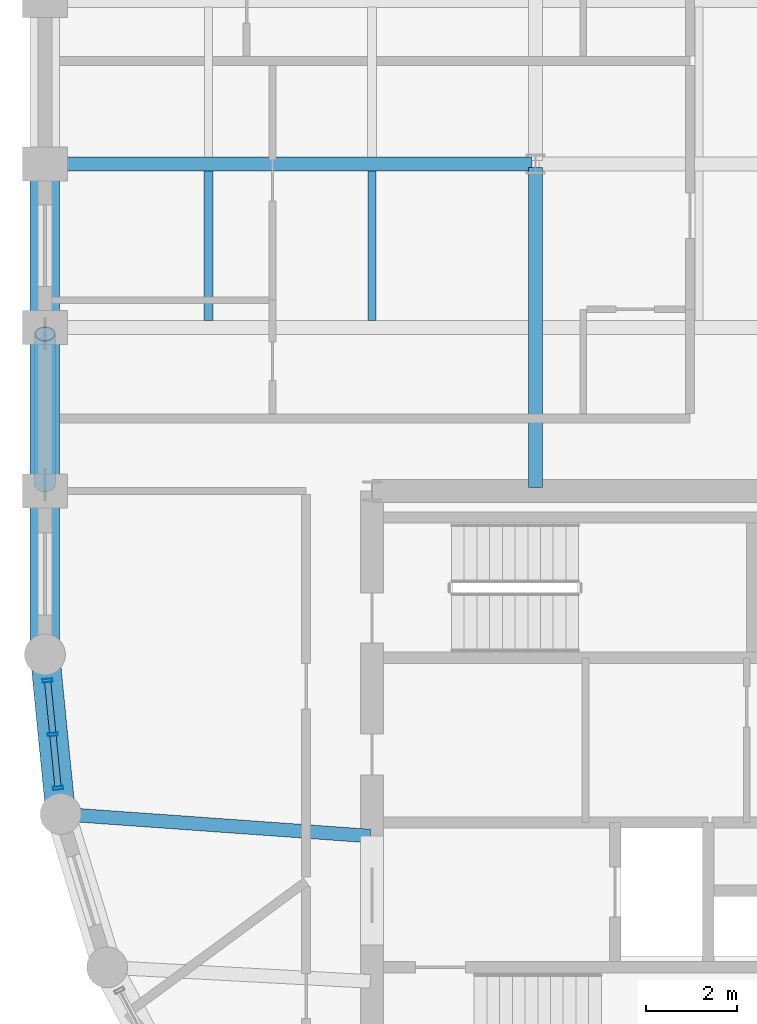
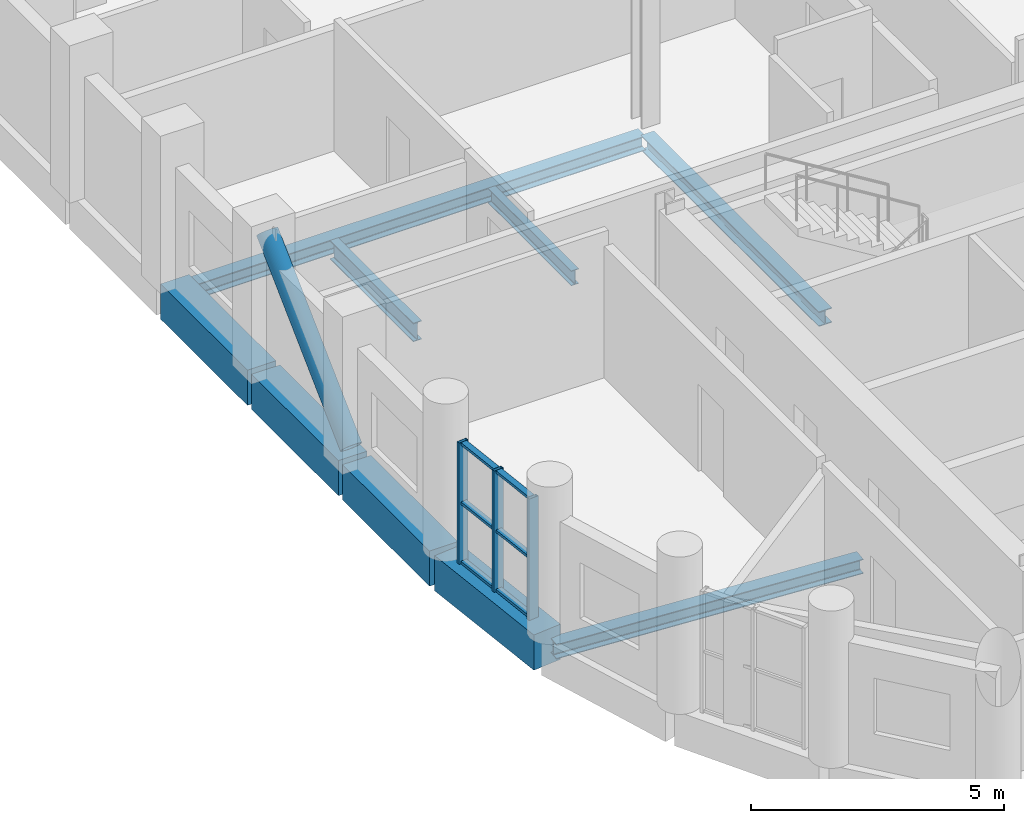
# One storey, part 4 of 14: 10 members, 9 beams, 1 element without a shape of its own.
"""IFC4 building model written with IfcOpenShell, lengths in metres."""

from ifc_helpers import new_model, si_unit, direction, frame, origin, origin_2d, place, context, subcontext, project, spatial, rectangle, hollow_rectangle, hollow_circle, i_section, extrude, material, layer, layer_set, material_profile, profile_set, type_object, element, aggregate, save


model = new_model("IFC4")

# Units and contexts
model_context = context("Model", 3, precision=1e-05, world=origin(), true_north=direction((0.0, 1.0)))
body_context = subcontext(model_context, "Body", "Model", "MODEL_VIEW")
ifc_project = project(units=[si_unit("LENGTHUNIT", "METRE"), si_unit("AREAUNIT", "SQUARE_METRE"), si_unit("VOLUMEUNIT", "CUBIC_METRE"), si_unit("PLANEANGLEUNIT", "RADIAN"), si_unit("MASSUNIT", "GRAM", prefix="KILO")], contexts=[model_context])

# Site, building, storey
site_placement = place(None, origin())
site = spatial("IfcSite", under=ifc_project, at=site_placement, CompositionType="ELEMENT")
building_placement = place(site_placement, origin())
building = spatial("IfcBuilding", under=site, at=building_placement, Name="Solnavia Interchange Tower", CompositionType="ELEMENT")
storey_placement = place(building_placement, frame((0.0, 0.0, 135.199951171875)))
storey = spatial("IfcBuildingStorey", under=building, at=storey_placement, Name="L33", CompositionType="ELEMENT", Elevation=135.199951171875)

# Beams
ifc_material_1 = material(Name="Steel S460", Category="steel")
ifc_material_profile_1 = material_profile(ifc_material_1, i_section(OverallWidth=0.300048828125, OverallDepth=0.360107421875, WebThickness=0.012451171875, FlangeThickness=0.0224609375, FilletRadius=0.027099609375, at=origin_2d()), Name="HEB 360")
ifc_profile_set_1 = profile_set([ifc_material_profile_1], Name="Steel S460")
beam_type_1 = type_object("IfcBeamType", Name="Beam-Girder-HEB360", PredefinedType="BEAM", material=ifc_profile_set_1)
beam_1_placement = place(storey_placement, frame((18.0, 25.280029296875, -0.429931640625), z_axis=(0.0, 1.0, 0.0), x_axis=(-1.0, 0.0, 0.0)))
element("IfcBeam", 1, at=beam_1_placement, inside=storey, type_object=beam_type_1, Name="GRD-L33-NS08 North wing spine girder", PredefinedType="BEAM", context=body_context, shape_type="SweptSolid", body=[
    extrude(i_section(OverallWidth=0.300048828125, OverallDepth=0.360107421875, WebThickness=0.012451171875, FlangeThickness=0.0224609375, FilletRadius=0.027099609375, at=origin_2d()), origin(), (0.0, 0.0, 1.0), 7.0400390625),
])
ifc_material_2 = material(Name="Steel S355", Category="steel")
ifc_material_profile_2 = material_profile(ifc_material_2, i_section(OverallWidth=0.169921875, OverallDepth=0.360107421875, WebThickness=0.008056640625, FlangeThickness=0.0126953125, FilletRadius=0.01806640625, at=origin_2d()), Name="IPE 360")
ifc_profile_set_2 = profile_set([ifc_material_profile_2], Name="Steel S355")
beam_type_2 = type_object("IfcBeamType", Name="Beam-Joist-IPE360", PredefinedType="JOIST", material=ifc_profile_set_2)
beam_2_placement = place(storey_placement, frame((14.39990234375, 28.949951171875, -0.429931640625), z_axis=(0.0, 1.0, 0.0), x_axis=(-1.0, 0.0, 0.0)))
element("IfcBeam", 2, at=beam_2_placement, inside=storey, type_object=beam_type_2, Name="JST-L33-N15 North wing secondary joist", PredefinedType="JOIST", context=body_context, shape_type="SweptSolid", body=[
    extrude(i_section(OverallWidth=0.169921875, OverallDepth=0.360107421875, WebThickness=0.008056640625, FlangeThickness=0.0126953125, FilletRadius=0.01806640625, at=origin_2d()), origin(), (0.0, 0.0, 1.0), 3.300048828125),
])
ifc_material_profile_3 = material_profile(ifc_material_2, i_section(OverallWidth=0.18994140625, OverallDepth=0.449951171875, WebThickness=0.009521484375, FlangeThickness=0.0146484375, FilletRadius=0.02099609375, at=origin_2d()), Name="IPE 450")
ifc_profile_set_3 = profile_set([ifc_material_profile_3], Name="Steel S355")
beam_type_3 = type_object("IfcBeamType", Name="Beam-Joist-IPE450", PredefinedType="JOIST", material=ifc_profile_set_3)
beam_3_placement = place(storey_placement, frame((10.800048828125, 28.949951171875, -0.474853515625), z_axis=(0.0, 1.0, 0.0), x_axis=(-1.0, 0.0, 0.0)))
element("IfcBeam", 3, at=beam_3_placement, inside=storey, type_object=beam_type_3, Name="JST-L33-N13 North wing secondary joist", PredefinedType="JOIST", context=body_context, shape_type="SweptSolid", body=[
    extrude(i_section(OverallWidth=0.18994140625, OverallDepth=0.449951171875, WebThickness=0.009521484375, FlangeThickness=0.0146484375, FilletRadius=0.02099609375, at=origin_2d()), origin(), (0.0, 0.0, 1.0), 3.300048828125),
])
ifc_material_profile_4 = material_profile(ifc_material_2, i_section(OverallWidth=0.300048828125, OverallDepth=0.35009765625, WebThickness=0.010009765625, FlangeThickness=0.017578125, FilletRadius=0.027099609375, at=origin_2d()), Name="HEA 360")
ifc_profile_set_4 = profile_set([ifc_material_profile_4], Name="Steel S355")
beam_type_4 = type_object("IfcBeamType", Name="Beam-Primary-HEA360", PredefinedType="BEAM", material=ifc_profile_set_4)
beam_4_placement = place(storey_placement, frame((7.280029296875, 32.39990234375, -0.425048828125), z_axis=(1.0, 0.0, 0.0), x_axis=(0.0, 1.0, 0.0)))
element("IfcBeam", 4, at=beam_4_placement, inside=storey, type_object=beam_type_4, Name="GRD-L33-NW11 North wing primary floor girder", PredefinedType="BEAM", context=body_context, shape_type="SweptSolid", body=[
    extrude(i_section(OverallWidth=0.300048828125, OverallDepth=0.35009765625, WebThickness=0.010009765625, FlangeThickness=0.017578125, FilletRadius=0.027099609375, at=origin_2d()), origin(), (0.0, 0.0, 1.0), 10.639892578125),
])
beam_5_placement = place(storey_placement, frame((7.625732421875, 18.082275390625, -0.425048828125), z_axis=(0.99747482749, -0.071020902015, 0.0), x_axis=(0.071020902015, 0.99747482749, 0.0)))
element("IfcBeam", 5, at=beam_5_placement, inside=storey, type_object=beam_type_4, Name="GRD-L33-DR14 Drum radial floor girder", PredefinedType="BEAM", context=body_context, shape_type="SweptSolid", body=[
    extrude(i_section(OverallWidth=0.300048828125, OverallDepth=0.35009765625, WebThickness=0.010009765625, FlangeThickness=0.017578125, FilletRadius=0.027099609375, at=origin_2d()), origin(), (0.0, 0.0, 1.0), 6.75146484375),
])
ifc_material_3 = material(Name="Concrete C50/60", Category="concrete")
ifc_material_profile_5 = material_profile(ifc_material_3, rectangle(XDim=0.64990234375, YDim=0.85009765625, at=origin_2d()), Name="RC 650x850")
ifc_profile_set_5 = profile_set([ifc_material_profile_5], Name="Concrete C50/60")
beam_type_5 = type_object("IfcBeamType", Name="Beam-Spandrel-RC650x850", PredefinedType="SPANDREL", material=ifc_profile_set_5)
beam_6_placement = place(storey_placement, frame((7.207763671875, 21.5205078125, -0.425048828125), z_axis=(0.098040038117, -0.995182471171, 0.0), x_axis=(0.995182471171, 0.098040038117, 0.0)))
element("IfcBeam", 6, at=beam_6_placement, inside=storey, type_object=beam_type_5, Name="SPB-L33-01 Framed-tube perimeter spandrel beam", PredefinedType="SPANDREL", context=body_context, shape_type="SweptSolid", body=[
    extrude(rectangle(XDim=0.64990234375, YDim=0.85009765625, at=origin_2d()), origin(), (0.0, 0.0, 1.0), 3.369140625),
])
beam_7_placement = place(storey_placement, frame((7.199951171875, 32.320068359375, -0.425048828125), z_axis=(0.0, -1.0, 0.0), x_axis=(1.0, 0.0, 0.0)))
element("IfcBeam", 7, at=beam_7_placement, inside=storey, type_object=beam_type_5, Name="SPB-L33-34 Framed-tube perimeter spandrel beam", PredefinedType="SPANDREL", context=body_context, shape_type="SweptSolid", body=[
    extrude(rectangle(XDim=0.64990234375, YDim=0.85009765625, at=origin_2d()), origin(), (0.0, 0.0, 1.0), 3.440185546875),
])
beam_8_placement = place(storey_placement, frame((7.199951171875, 28.719970703125, -0.425048828125), z_axis=(0.0, -1.0, 0.0), x_axis=(1.0, 0.0, 0.0)))
element("IfcBeam", 8, at=beam_8_placement, inside=storey, type_object=beam_type_5, Name="SPB-L33-35 Framed-tube perimeter spandrel beam", PredefinedType="SPANDREL", context=body_context, shape_type="SweptSolid", body=[
    extrude(rectangle(XDim=0.64990234375, YDim=0.85009765625, at=origin_2d()), origin(), (0.0, 0.0, 1.0), 3.43994140625),
])
beam_9_placement = place(storey_placement, frame((7.199951171875, 25.1201171875, -0.425048828125), z_axis=(0.0, -1.0, 0.0), x_axis=(1.0, 0.0, 0.0)))
element("IfcBeam", 9, at=beam_9_placement, inside=storey, type_object=beam_type_5, Name="SPB-L33-36 Framed-tube perimeter spandrel beam", PredefinedType="SPANDREL", context=body_context, shape_type="SweptSolid", body=[
    extrude(rectangle(XDim=0.64990234375, YDim=0.85009765625, at=origin_2d()), origin(), (0.0, 0.0, 1.0), 3.440185546875),
])

# Member
ifc_material_profile_6 = material_profile(ifc_material_1, hollow_circle(Radius=0.228515625, WallThickness=0.02001953125, at=origin_2d()), Name="CHS 457x20")
ifc_profile_set_6 = profile_set([ifc_material_profile_6], Name="Steel S460")
member_type_1 = type_object("IfcMemberType", Name="Brace-Perim-CHS457", PredefinedType="BRACE", material=ifc_profile_set_6)
member_1_placement = place(storey_placement, frame((7.199951171875, 25.340087890625, 0.179931640625), z_axis=(0.0, 0.721044971413, 0.692888266028), x_axis=(-1.0, 0.0, 0.0)))
element("IfcMember", 10, at=member_1_placement, inside=storey, type_object=member_type_1, Name="BRC-L33-01 Perimeter tube diagonal brace", PredefinedType="BRACE", context=body_context, shape_type="SweptSolid", body=[
    extrude(hollow_circle(Radius=0.228515625, WallThickness=0.02001953125, at=origin_2d()), origin(), (0.0, 0.0, 1.0), 4.604248046875),
])

# Curtain wall, members
ifc_material_4 = material(Name="Aluminium Alloy 6063-T6", Category="aluminium")
ifc_layer = layer(ifc_material_4, 0.239990234375)
ifc_layer_set = layer_set([ifc_layer], Name="Aluminium Alloy 6063-T6")
curtain_wall_type = type_object("IfcCurtainWallType", Name="CurtainWall-Drum-CTW2", PredefinedType="NOTDEFINED", material=ifc_layer_set)
curtain_wall_placement = place(storey_placement, origin())
curtain_wall = element("IfcCurtainWall", 11, at=curtain_wall_placement, inside=storey, type_object=curtain_wall_type, Name="CTW-L33-D49 CTW-2 curtain wall", PredefinedType="NOTDEFINED")
ifc_material_profile_7 = material_profile(ifc_material_4, hollow_rectangle(XDim=0.074951171875, YDim=0.219970703125, WallThickness=0.0048828125, at=origin_2d()), Name="ALU 220x75x5")
ifc_profile_set_7 = profile_set([ifc_material_profile_7], Name="Aluminium Alloy 6063-T6")
member_type_2 = type_object("IfcMemberType", Name="CW-Mullion-CWM-2", PredefinedType="MULLION", material=ifc_profile_set_7)
member_2_placement = place(storey_placement, frame((7.25634765625, 21.02783203125, 0.0), z_axis=(0.0, 0.0, 1.0), x_axis=(0.098043088306, -0.995182170678, 0.0)))
member_2 = element("IfcMember", 12, at=member_2_placement, type_object=member_type_2, Name="CTW-2 mullion 1", PredefinedType="MULLION", context=body_context, shape_type="SweptSolid", body=[
    extrude(hollow_rectangle(XDim=0.074951171875, YDim=0.219970703125, WallThickness=0.0048828125, at=origin_2d()), origin(), (0.0, 0.0, 1.0), 2.929931640625),
])
member_3_placement = place(storey_placement, frame((7.373046875, 19.843994140625, 0.0), z_axis=(0.0, 0.0, 1.0), x_axis=(0.098043088306, -0.995182170678, 0.0)))
member_3 = element("IfcMember", 13, at=member_3_placement, type_object=member_type_2, Name="CTW-2 mullion 2", PredefinedType="MULLION", context=body_context, shape_type="SweptSolid", body=[
    extrude(hollow_rectangle(XDim=0.074951171875, YDim=0.219970703125, WallThickness=0.0048828125, at=origin_2d()), origin(), (0.0, 0.0, 1.0), 2.929931640625),
])
member_4_placement = place(storey_placement, frame((7.489501953125, 18.66015625, 0.0), z_axis=(0.0, 0.0, 1.0), x_axis=(0.098043088306, -0.995182170678, 0.0)))
member_4 = element("IfcMember", 14, at=member_4_placement, type_object=member_type_2, Name="CTW-2 mullion 3", PredefinedType="MULLION", context=body_context, shape_type="SweptSolid", body=[
    extrude(hollow_rectangle(XDim=0.074951171875, YDim=0.219970703125, WallThickness=0.0048828125, at=origin_2d()), origin(), (0.0, 0.0, 1.0), 2.929931640625),
])
ifc_material_profile_8 = material_profile(ifc_material_4, hollow_rectangle(XDim=0.06494140625, YDim=0.139892578125, WallThickness=0.00390625, at=origin_2d()), Name="ALU 140x65x4")
ifc_profile_set_8 = profile_set([ifc_material_profile_8], Name="Aluminium Alloy 6063-T6")
member_type_3 = type_object("IfcMemberType", Name="CW-Transom-CWT-2", PredefinedType="USERDEFINED", material=ifc_profile_set_8)
member_5_placement = place(storey_placement, frame((7.260009765625, 20.990478515625, 0.032470703125), z_axis=(0.098137234257, -0.995172891136, 0.0), x_axis=(0.0, 0.0, 1.0)))
member_5 = element("IfcMember", 15, at=member_5_placement, type_object=member_type_3, Name="CTW-2 transom 1.1", ObjectType="TRANSOM", PredefinedType="USERDEFINED", context=body_context, shape_type="SweptSolid", body=[
    extrude(hollow_rectangle(XDim=0.06494140625, YDim=0.139892578125, WallThickness=0.00390625, at=origin_2d()), origin(), (0.0, 0.0, 1.0), 1.114501953125),
])
member_6_placement = place(storey_placement, frame((7.260009765625, 20.990478515625, 1.465087890625), z_axis=(0.098137234257, -0.995172891136, 0.0), x_axis=(0.0, 0.0, 1.0)))
member_6 = element("IfcMember", 16, at=member_6_placement, type_object=member_type_3, Name="CTW-2 transom 1.2", ObjectType="TRANSOM", PredefinedType="USERDEFINED", context=body_context, shape_type="SweptSolid", body=[
    extrude(hollow_rectangle(XDim=0.06494140625, YDim=0.139892578125, WallThickness=0.00390625, at=origin_2d()), origin(), (0.0, 0.0, 1.0), 1.114501953125),
])
member_7_placement = place(storey_placement, frame((7.260009765625, 20.990478515625, 2.8974609375), z_axis=(0.098137234257, -0.995172891136, 0.0), x_axis=(0.0, 0.0, 1.0)))
member_7 = element("IfcMember", 17, at=member_7_placement, type_object=member_type_3, Name="CTW-2 transom 1.3", ObjectType="TRANSOM", PredefinedType="USERDEFINED", context=body_context, shape_type="SweptSolid", body=[
    extrude(hollow_rectangle(XDim=0.06494140625, YDim=0.139892578125, WallThickness=0.00390625, at=origin_2d()), origin(), (0.0, 0.0, 1.0), 1.114501953125),
])
member_8_placement = place(storey_placement, frame((7.376708984375, 19.806640625, 0.032470703125), z_axis=(0.097920280653, -0.995194261758, 0.0), x_axis=(0.0, 0.0, 1.0)))
member_8 = element("IfcMember", 18, at=member_8_placement, type_object=member_type_3, Name="CTW-2 transom 2.1", ObjectType="TRANSOM", PredefinedType="USERDEFINED", context=body_context, shape_type="SweptSolid", body=[
    extrude(hollow_rectangle(XDim=0.06494140625, YDim=0.139892578125, WallThickness=0.00390625, at=origin_2d()), origin(), (0.0, 0.0, 1.0), 1.114501953125),
])
member_9_placement = place(storey_placement, frame((7.376708984375, 19.806640625, 1.465087890625), z_axis=(0.097920280653, -0.995194261758, 0.0), x_axis=(0.0, 0.0, 1.0)))
member_9 = element("IfcMember", 19, at=member_9_placement, type_object=member_type_3, Name="CTW-2 transom 2.2", ObjectType="TRANSOM", PredefinedType="USERDEFINED", context=body_context, shape_type="SweptSolid", body=[
    extrude(hollow_rectangle(XDim=0.06494140625, YDim=0.139892578125, WallThickness=0.00390625, at=origin_2d()), origin(), (0.0, 0.0, 1.0), 1.114501953125),
])
member_10_placement = place(storey_placement, frame((7.376708984375, 19.806640625, 2.8974609375), z_axis=(0.097920280653, -0.995194261758, 0.0), x_axis=(0.0, 0.0, 1.0)))
member_10 = element("IfcMember", 20, at=member_10_placement, type_object=member_type_3, Name="CTW-2 transom 2.3", ObjectType="TRANSOM", PredefinedType="USERDEFINED", context=body_context, shape_type="SweptSolid", body=[
    extrude(hollow_rectangle(XDim=0.06494140625, YDim=0.139892578125, WallThickness=0.00390625, at=origin_2d()), origin(), (0.0, 0.0, 1.0), 1.114501953125),
])
aggregate(curtain_wall, [member_2, member_3, member_4, member_5, member_6, member_7, member_8, member_9, member_10])

save(model, "model.ifc")
